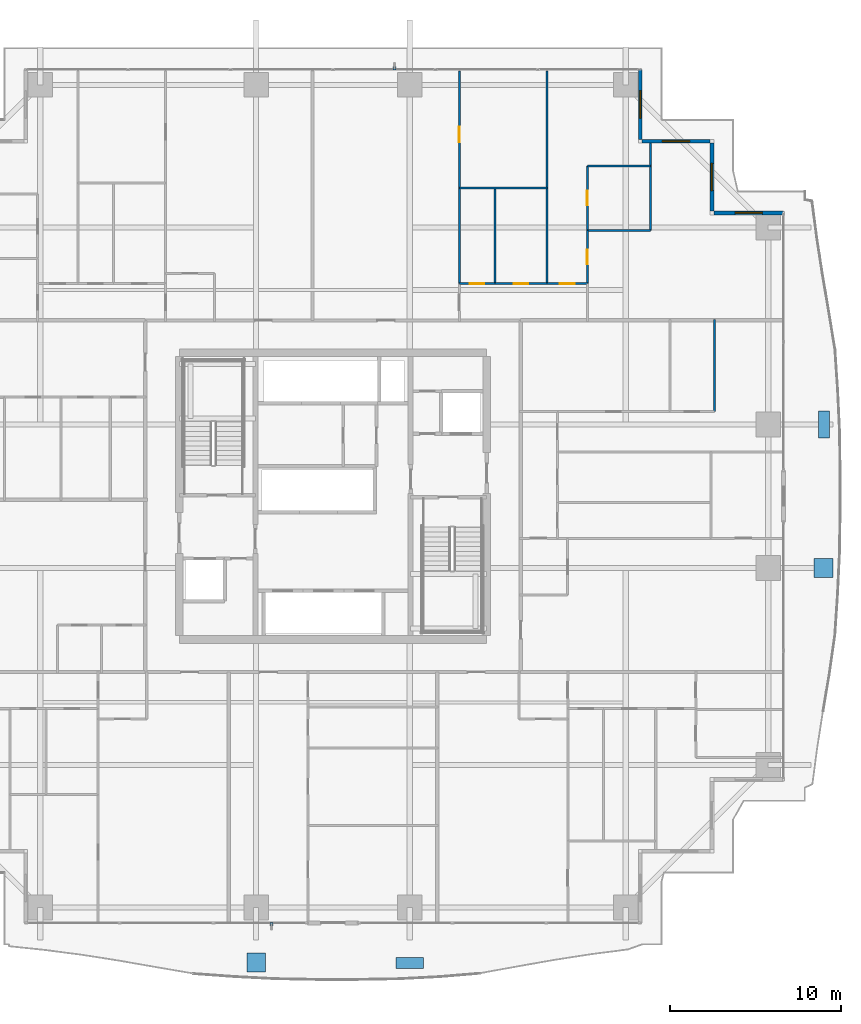
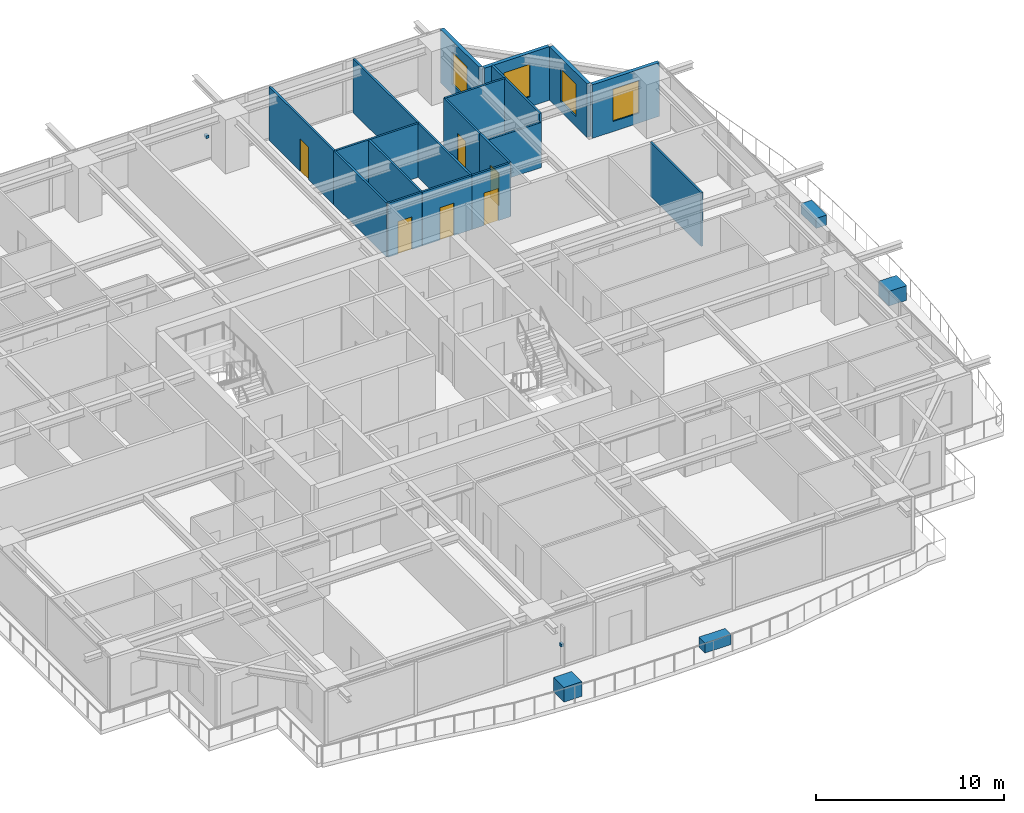
# One storey, part 32 of 39: 18 walls, 6 discrete accessories, 6 doors, 4 windows, 10 openings.
"""IFC4 building model written with IfcOpenShell, lengths in metres."""

from ifc_helpers import new_model, si_unit, direction, frame, frame_2d, origin, origin_2d, place, context, subcontext, project, spatial, rectangle, extrude, source, transform, mapped, material, layer, layer_set, type_object, element, fill, save


model = new_model("IFC4")

# Units and contexts
model_context = context("Model", 3, precision=1e-05, world=origin(), true_north=direction((0.0, 1.0)))
body_context = subcontext(model_context, "Body", "Model", "MODEL_VIEW")
ifc_project = project(units=[si_unit("LENGTHUNIT", "METRE"), si_unit("AREAUNIT", "SQUARE_METRE"), si_unit("VOLUMEUNIT", "CUBIC_METRE"), si_unit("PLANEANGLEUNIT", "RADIAN"), si_unit("MASSUNIT", "GRAM", prefix="KILO")], contexts=[model_context])

# Site, building, storey
site_placement = place(None, origin())
site = spatial("IfcSite", under=ifc_project, at=site_placement, CompositionType="ELEMENT")
building_placement = place(site_placement, origin())
building = spatial("IfcBuilding", under=site, at=building_placement, Name="Serunith Strait Residences", CompositionType="ELEMENT")
storey_placement = place(building_placement, frame((0.0, 0.0, 64.199951171875)))
storey = spatial("IfcBuildingStorey", under=building, at=storey_placement, Name="L15", CompositionType="ELEMENT", Elevation=64.199951171875)

# Wall, opening, window
ifc_material_1 = material(Name="Pale-Champagne Aluminium Insulated Panel", Category="aluminium")
ifc_layer_1 = layer(ifc_material_1, 0.219970703125, Name="Pale-Champagne Aluminium Insulated Panel")
ifc_layer_set_1 = layer_set([ifc_layer_1], Name="Pale-Champagne Aluminium Insulated Panel")
wall_type_1 = type_object("IfcWallType", Name="EW-ALUM-220", PredefinedType="ELEMENTEDWALL", material=ifc_layer_set_1)
wall_1_placement = place(storey_placement, frame((58.800048828125, 41.800048828125, 0.0), z_axis=(0.0, 0.0, 1.0), x_axis=(-1.0, 0.0, 0.0)))
wall_1 = element("IfcWall", 1, at=wall_1_placement, inside=storey, type_object=wall_type_1, Name="L15 Girih Serrated Corner Wall 07", PredefinedType="ELEMENTEDWALL", context=body_context, shape_type="SweptSolid", body=[
    extrude(rectangle(XDim=4.090087890625, YDim=0.219970703125, at=frame_2d((2.044921875, 0.0))), origin(), (0.0, 0.0, 1.0), 3.47509765625),
])
opening_1_placement = place(wall_1_placement, frame((1.2451171875, 0.0, 0.64990234375)))
opening_1 = element("IfcOpeningElement", 2, at=opening_1_placement, cuts=wall_1, Name="Opening W-02", PredefinedType="OPENING", context=body_context, shape_type="SweptSolid", body=[
    extrude(rectangle(XDim=1.60009765625, YDim=2.10009765625, at=frame_2d((0.800048828125, 1.050048828125))), frame((0.0, 0.1201171875, 0.0), z_axis=(0.0, -1.0, 0.0), x_axis=(1.0, 0.0, 0.0)), (0.0, 0.0, 1.0), 0.239990234375),
])
ifc_material_2 = material(Name="Ceramic-Fritted Operable Aluminium Window Glass", Category="aluminium")
window_type = type_object("IfcWindowType", Name="WIN-C2", PartitioningType="DOUBLE_PANEL_VERTICAL", PredefinedType="WINDOW", material=ifc_material_2)
shared_shape_1 = source(origin(), body_context, "Body", "SweptSolid", [
    extrude(rectangle(XDim=1.60009765625, YDim=2.10009765625, at=frame_2d((0.800048828125, 1.050048828125))), frame((0.0, 0.030029296875, 0.0), z_axis=(0.0, -1.0, 0.0), x_axis=(1.0, 0.0, 0.0)), (0.0, 0.0, 1.0), 0.06005859375),
])
window_1_placement = place(opening_1_placement, origin())
window_1 = element("IfcWindow", 3, at=window_1_placement, inside=storey, type_object=window_type, Name="L15 Corner Operable Fritted Window 07", OverallHeight=2.10009765625, OverallWidth=1.60009765625, PartitioningType="SINGLE_PANEL", PredefinedType="WINDOW", context=body_context, shape_type="MappedRepresentation", body=[
    mapped(shared_shape_1, transform((0.0, 0.0, 0.0), scale=1.0)),
])
fill(opening_1, window_1)

wall_2_placement = place(storey_placement, frame((54.60009765625, 41.909912109375, 0.0), z_axis=(0.0, 0.0, 1.0), x_axis=(0.0, 1.0, 0.0)))
wall_2 = element("IfcWall", 4, at=wall_2_placement, inside=storey, type_object=wall_type_1, Name="L15 Girih Serrated Corner Wall 08", PredefinedType="ELEMENTEDWALL", context=body_context, shape_type="SweptSolid", body=[
    extrude(rectangle(XDim=3.97998046875, YDim=0.219970703125, at=frame_2d((1.989990234375, 0.0))), origin(), (0.0, 0.0, 1.0), 3.47509765625),
])
opening_2_placement = place(wall_2_placement, frame((1.18994140625, 0.0, 0.64990234375)))
opening_2 = element("IfcOpeningElement", 5, at=opening_2_placement, cuts=wall_2, Name="Opening W-02", PredefinedType="OPENING", context=body_context, shape_type="SweptSolid", body=[
    extrude(rectangle(XDim=1.60009765625, YDim=2.10009765625, at=frame_2d((0.800048828125, 1.050048828125))), frame((0.0, 0.1201171875, 0.0), z_axis=(0.0, -1.0, 0.0), x_axis=(1.0, 0.0, 0.0)), (0.0, 0.0, 1.0), 0.239990234375),
])
window_2_placement = place(opening_2_placement, origin())
window_2 = element("IfcWindow", 6, at=window_2_placement, inside=storey, type_object=window_type, Name="L15 Corner Operable Fritted Window 08", OverallHeight=2.10009765625, OverallWidth=1.60009765625, PartitioningType="SINGLE_PANEL", PredefinedType="WINDOW", context=body_context, shape_type="MappedRepresentation", body=[
    mapped(shared_shape_1, transform((0.0, 0.0, 0.0), scale=1.0)),
])
fill(opening_2, window_2)

wall_3_placement = place(storey_placement, frame((54.489990234375, 46.0, 0.0), z_axis=(0.0, 0.0, 1.0), x_axis=(-1.0, 0.0, 0.0)))
wall_3 = element("IfcWall", 7, at=wall_3_placement, inside=storey, type_object=wall_type_1, Name="L15 Girih Serrated Corner Wall 09", PredefinedType="ELEMENTEDWALL", context=body_context, shape_type="SweptSolid", body=[
    extrude(rectangle(XDim=3.97998046875, YDim=0.219970703125, at=frame_2d((1.989990234375, 0.0))), origin(), (0.0, 0.0, 1.0), 3.47509765625),
])
opening_3_placement = place(wall_3_placement, frame((1.18994140625, 0.0, 0.64990234375)))
opening_3 = element("IfcOpeningElement", 8, at=opening_3_placement, cuts=wall_3, Name="Opening W-02", PredefinedType="OPENING", context=body_context, shape_type="SweptSolid", body=[
    extrude(rectangle(XDim=1.60009765625, YDim=2.10009765625, at=frame_2d((0.800048828125, 1.050048828125))), frame((0.0, 0.1201171875, 0.0), z_axis=(0.0, -1.0, 0.0), x_axis=(1.0, 0.0, 0.0)), (0.0, 0.0, 1.0), 0.239990234375),
])
window_3_placement = place(opening_3_placement, origin())
window_3 = element("IfcWindow", 9, at=window_3_placement, inside=storey, type_object=window_type, Name="L15 Corner Operable Fritted Window 09", OverallHeight=2.10009765625, OverallWidth=1.60009765625, PartitioningType="SINGLE_PANEL", PredefinedType="WINDOW", context=body_context, shape_type="MappedRepresentation", body=[
    mapped(shared_shape_1, transform((0.0, 0.0, 0.0), scale=1.0)),
])
fill(opening_3, window_3)

wall_4_placement = place(storey_placement, frame((50.39990234375, 46.110107421875, 0.0), z_axis=(0.0, 0.0, 1.0), x_axis=(0.0, 1.0, 0.0)))
wall_4 = element("IfcWall", 10, at=wall_4_placement, inside=storey, type_object=wall_type_1, Name="L15 Girih Serrated Corner Wall 10", PredefinedType="ELEMENTEDWALL", context=body_context, shape_type="SweptSolid", body=[
    extrude(rectangle(XDim=4.08984375, YDim=0.219970703125, at=frame_2d((2.044921875, 0.0))), origin(), (0.0, 0.0, 1.0), 3.47509765625),
])
opening_4_placement = place(wall_4_placement, frame((1.2451171875, 0.0, 0.64990234375)))
opening_4 = element("IfcOpeningElement", 11, at=opening_4_placement, cuts=wall_4, Name="Opening W-02", PredefinedType="OPENING", context=body_context, shape_type="SweptSolid", body=[
    extrude(rectangle(XDim=1.60009765625, YDim=2.10009765625, at=frame_2d((0.800048828125, 1.050048828125))), frame((0.0, 0.1201171875, 0.0), z_axis=(0.0, -1.0, 0.0), x_axis=(1.0, 0.0, 0.0)), (0.0, 0.0, 1.0), 0.239990234375),
])
window_4_placement = place(opening_4_placement, origin())
window_4 = element("IfcWindow", 12, at=window_4_placement, inside=storey, type_object=window_type, Name="L15 Corner Operable Fritted Window 10", OverallHeight=2.10009765625, OverallWidth=1.60009765625, PartitioningType="SINGLE_PANEL", PredefinedType="WINDOW", context=body_context, shape_type="MappedRepresentation", body=[
    mapped(shared_shape_1, transform((0.0, 0.0, 0.0), scale=1.0)),
])
fill(opening_4, window_4)

# Wall, opening, door
ifc_material_3 = material(Name="Lightweight steel-stud gypsum partition", Category="steel")
ifc_layer_2 = layer(ifc_material_3, 0.1201171875, Name="Lightweight steel-stud gypsum partition")
ifc_layer_set_2 = layer_set([ifc_layer_2], Name="Lightweight steel-stud gypsum partition")
wall_type_2 = type_object("IfcWallType", Name="IW-PART-120", PredefinedType="PARTITIONING", material=ifc_layer_set_2)
wall_5_placement = place(storey_placement, frame((39.800048828125, 50.10498046875, 0.0), z_axis=(0.0, 0.0, 1.0), x_axis=(0.0, -1.0, 0.0)))
wall_5 = element("IfcWall", 13, at=wall_5_placement, inside=storey, type_object=wall_type_2, Name="L15 Partition Wall 082", PredefinedType="PARTITIONING", context=body_context, shape_type="SweptSolid", body=[
    extrude(rectangle(XDim=6.85107421875, YDim=0.1201171875, at=frame_2d((3.425537109375, 0.0))), origin(), (0.0, 0.0, 1.0), 3.489990234375),
])
opening_5_placement = place(wall_5_placement, frame((3.27294921875, 0.0, 0.0)))
opening_5 = element("IfcOpeningElement", 14, at=opening_5_placement, cuts=wall_5, Name="Opening D-RM900", PredefinedType="OPENING", context=body_context, shape_type="SweptSolid", body=[
    extrude(rectangle(XDim=0.89990234375, YDim=2.10009765625, at=frame_2d((0.449951171875, 1.050048828125))), frame((0.0, 0.070068359375, 0.0), z_axis=(0.0, -1.0, 0.0), x_axis=(1.0, 0.0, 0.0)), (0.0, 0.0, 1.0), 0.14013671875),
])
ifc_material_4 = material(Name="Engineered timber flush bedroom door", Category="wood")
door_type_1 = type_object("IfcDoorType", Name="ID-ROOM-900", OperationType="NOTDEFINED", PredefinedType="DOOR", material=ifc_material_4)
shared_shape_2 = source(origin(), body_context, "Body", "SweptSolid", [
    extrude(rectangle(XDim=0.89990234375, YDim=2.10009765625, at=frame_2d((0.449951171875, 1.050048828125))), frame((0.0, 0.02490234375, 0.0), z_axis=(0.0, -1.0, 0.0), x_axis=(1.0, 0.0, 0.0)), (0.0, 0.0, 1.0), 0.050048828125),
])
door_1_placement = place(opening_5_placement, origin())
door_1 = element("IfcDoor", 15, at=door_1_placement, inside=storey, type_object=door_type_1, Name="L15 Formal Dining Room 1 1505 Door", OperationType="SINGLE_SWING_RIGHT", OverallHeight=2.10009765625, OverallWidth=0.89990234375, PredefinedType="DOOR", context=body_context, shape_type="MappedRepresentation", body=[
    mapped(shared_shape_2, transform((0.0, 0.0, 0.0), scale=1.0)),
])
fill(opening_5, door_1)

# Walls
wall_6_placement = place(storey_placement, frame((39.800048828125, 43.251953125, 0.0), z_axis=(0.0, 0.0, 1.0), x_axis=(0.0, -1.0, 0.0)))
element("IfcWall", 16, at=wall_6_placement, inside=storey, type_object=wall_type_2, Name="L15 Partition Wall 083", PredefinedType="PARTITIONING", context=body_context, shape_type="SweptSolid", body=[
    extrude(rectangle(XDim=5.599853515625, YDim=0.1201171875, at=frame_2d((2.7998046875, 0.0))), origin(), (0.0, 0.0, 1.0), 3.489990234375),
])
wall_7_placement = place(storey_placement, frame((39.800048828125, 43.25390625, 0.0), z_axis=(0.0, 0.0, 1.0), x_axis=(1.0, 0.0, 0.0)))
element("IfcWall", 17, at=wall_7_placement, inside=storey, type_object=wall_type_2, Name="L15 Partition Wall 084", PredefinedType="PARTITIONING", context=body_context, shape_type="SweptSolid", body=[
    extrude(rectangle(XDim=5.14990234375, YDim=0.1201171875, at=frame_2d((2.574951171875, 0.0))), origin(), (0.0, 0.0, 1.0), 3.489990234375),
])
wall_8_placement = place(storey_placement, frame((44.949951171875, 50.10498046875, 0.0), z_axis=(0.0, 0.0, 1.0), x_axis=(0.0, -1.0, 0.0)))
element("IfcWall", 18, at=wall_8_placement, inside=storey, type_object=wall_type_2, Name="L15 Partition Wall 085", PredefinedType="PARTITIONING", context=body_context, shape_type="SweptSolid", body=[
    extrude(rectangle(XDim=12.455078125, YDim=0.1201171875, at=frame_2d((6.2275390625, 0.0))), origin(), (0.0, 0.0, 1.0), 3.489990234375),
])
wall_9_placement = place(storey_placement, frame((41.89990234375, 43.25390625, 0.0), z_axis=(0.0, 0.0, 1.0), x_axis=(0.0, -1.0, 0.0)))
element("IfcWall", 19, at=wall_9_placement, inside=storey, type_object=wall_type_2, Name="L15 Partition Wall 086", PredefinedType="PARTITIONING", context=body_context, shape_type="SweptSolid", body=[
    extrude(rectangle(XDim=5.60400390625, YDim=0.1201171875, at=frame_2d((2.802001953125, 0.0))), origin(), (0.0, 0.0, 1.0), 3.489990234375),
])

# Wall, opening, door
wall_10_placement = place(storey_placement, frame((39.800048828125, 37.64990234375, 0.0), z_axis=(0.0, 0.0, 1.0), x_axis=(1.0, 0.0, 0.0)))
wall_10 = element("IfcWall", 20, at=wall_10_placement, inside=storey, type_object=wall_type_2, Name="L15 Partition Wall 087", PredefinedType="PARTITIONING", context=body_context, shape_type="SweptSolid", body=[
    extrude(rectangle(XDim=2.099853515625, YDim=0.1201171875, at=frame_2d((1.0498046875, 0.0))), origin(), (0.0, 0.0, 1.0), 3.489990234375),
])
opening_6_placement = place(wall_10_placement, frame((0.625, 0.0, 0.0)))
opening_6 = element("IfcOpeningElement", 21, at=opening_6_placement, cuts=wall_10, Name="Opening D-BTH850", PredefinedType="OPENING", context=body_context, shape_type="SweptSolid", body=[
    extrude(rectangle(XDim=0.85009765625, YDim=2.10009765625, at=frame_2d((0.425048828125, 1.050048828125))), frame((0.0, 0.070068359375, 0.0), z_axis=(0.0, -1.0, 0.0), x_axis=(1.0, 0.0, 0.0)), (0.0, 0.0, 1.0), 0.14013671875),
])
ifc_material_5 = material(Name="Moisture-resistant timber bathroom door", Category="wood")
door_type_2 = type_object("IfcDoorType", Name="ID-BATH-850", OperationType="NOTDEFINED", PredefinedType="DOOR", material=ifc_material_5)
shared_shape_3 = source(origin(), body_context, "Body", "SweptSolid", [
    extrude(rectangle(XDim=0.85009765625, YDim=2.10009765625, at=frame_2d((0.425048828125, 1.050048828125))), frame((0.0, 0.02490234375, 0.0), z_axis=(0.0, -1.0, 0.0), x_axis=(1.0, 0.0, 0.0)), (0.0, 0.0, 1.0), 0.050048828125),
])
door_2_placement = place(opening_6_placement, origin())
door_2 = element("IfcDoor", 22, at=door_2_placement, inside=storey, type_object=door_type_2, Name="L15 Bathroom 1505 Door", OperationType="SINGLE_SWING_LEFT", OverallHeight=2.10009765625, OverallWidth=0.85009765625, PredefinedType="DOOR", context=body_context, shape_type="MappedRepresentation", body=[
    mapped(shared_shape_3, transform((0.0, 0.0, 0.0), scale=1.0)),
])
fill(opening_6, door_2)

wall_11_placement = place(storey_placement, frame((41.902099609375, 37.64990234375, 0.0), z_axis=(0.0, 0.0, 1.0), x_axis=(1.0, 0.0, 0.0)))
wall_11 = element("IfcWall", 23, at=wall_11_placement, inside=storey, type_object=wall_type_2, Name="L15 Partition Wall 088", PredefinedType="PARTITIONING", context=body_context, shape_type="SweptSolid", body=[
    extrude(rectangle(XDim=3.0478515625, YDim=0.1201171875, at=frame_2d((1.52392578125, 0.0))), origin(), (0.0, 0.0, 1.0), 3.489990234375),
])
opening_7_placement = place(wall_11_placement, frame((1.09912109375, 0.0, 0.0)))
opening_7 = element("IfcOpeningElement", 24, at=opening_7_placement, cuts=wall_11, Name="Opening D-RM850", PredefinedType="OPENING", context=body_context, shape_type="SweptSolid", body=[
    extrude(rectangle(XDim=0.85009765625, YDim=2.10009765625, at=frame_2d((0.425048828125, 1.050048828125))), frame((0.0, 0.070068359375, 0.0), z_axis=(0.0, -1.0, 0.0), x_axis=(1.0, 0.0, 0.0)), (0.0, 0.0, 1.0), 0.14013671875),
])
ifc_material_6 = material(Name="Engineered timber flush study and kitchen door", Category="wood")
door_type_3 = type_object("IfcDoorType", Name="ID-ROOM-850", OperationType="NOTDEFINED", PredefinedType="DOOR", material=ifc_material_6)
door_3_placement = place(opening_7_placement, origin())
door_3 = element("IfcDoor", 25, at=door_3_placement, inside=storey, type_object=door_type_3, Name="L15 Kitchen 1505 Door", OperationType="SINGLE_SWING_RIGHT", OverallHeight=2.10009765625, OverallWidth=0.85009765625, PredefinedType="DOOR", context=body_context, shape_type="MappedRepresentation", body=[
    mapped(shared_shape_3, transform((0.0, 0.0, 0.0), scale=1.0)),
])
fill(opening_7, door_3)

wall_12_placement = place(storey_placement, frame((44.951904296875, 37.64990234375, 0.0), z_axis=(0.0, 0.0, 1.0), x_axis=(1.0, 0.0, 0.0)))
wall_12 = element("IfcWall", 26, at=wall_12_placement, inside=storey, type_object=wall_type_2, Name="L15 Partition Wall 089", PredefinedType="PARTITIONING", context=body_context, shape_type="SweptSolid", body=[
    extrude(rectangle(XDim=2.34814453125, YDim=0.1201171875, at=frame_2d((1.174072265625, 0.0))), origin(), (0.0, 0.0, 1.0), 3.489990234375),
])
opening_8_placement = place(wall_12_placement, frame((0.72412109375, 0.0, 0.0)))
opening_8 = element("IfcOpeningElement", 27, at=opening_8_placement, cuts=wall_12, Name="Opening D-RM900", PredefinedType="OPENING", context=body_context, shape_type="SweptSolid", body=[
    extrude(rectangle(XDim=0.89990234375, YDim=2.10009765625, at=frame_2d((0.449951171875, 1.050048828125))), frame((0.0, 0.070068359375, 0.0), z_axis=(0.0, -1.0, 0.0), x_axis=(1.0, 0.0, 0.0)), (0.0, 0.0, 1.0), 0.14013671875),
])
door_4_placement = place(opening_8_placement, origin())
door_4 = element("IfcDoor", 28, at=door_4_placement, inside=storey, type_object=door_type_1, Name="L15 Master Bedroom E 1505 Door", OperationType="SINGLE_SWING_LEFT", OverallHeight=2.10009765625, OverallWidth=0.89990234375, PredefinedType="DOOR", context=body_context, shape_type="MappedRepresentation", body=[
    mapped(shared_shape_2, transform((0.0, 0.0, 0.0), scale=1.0)),
])
fill(opening_8, door_4)

# Walls
wall_13_placement = place(storey_placement, frame((47.300048828125, 44.55908203125, 0.0), z_axis=(0.0, 0.0, 1.0), x_axis=(1.0, 0.0, 0.0)))
element("IfcWall", 29, at=wall_13_placement, inside=storey, type_object=wall_type_2, Name="L15 Partition Wall 090", PredefinedType="PARTITIONING", context=body_context, shape_type="SweptSolid", body=[
    extrude(rectangle(XDim=3.699951171875, YDim=0.1201171875, at=frame_2d((1.85009765625, 0.0))), origin(), (0.0, 0.0, 1.0), 3.489990234375),
])
wall_14_placement = place(storey_placement, frame((51.0, 45.905029296875, 0.0), z_axis=(0.0, 0.0, 1.0), x_axis=(0.0, -1.0, 0.0)))
element("IfcWall", 30, at=wall_14_placement, inside=storey, type_object=wall_type_2, Name="L15 Partition Wall 091", PredefinedType="PARTITIONING", context=body_context, shape_type="SweptSolid", body=[
    extrude(rectangle(XDim=5.130126953125, YDim=0.1201171875, at=frame_2d((2.56494140625, 0.0))), origin(), (0.0, 0.0, 1.0), 3.489990234375),
])
wall_15_placement = place(storey_placement, frame((47.300048828125, 40.77490234375, 0.0), z_axis=(0.0, 0.0, 1.0), x_axis=(1.0, 0.0, 0.0)))
element("IfcWall", 31, at=wall_15_placement, inside=storey, type_object=wall_type_2, Name="L15 Partition Wall 092", PredefinedType="PARTITIONING", context=body_context, shape_type="SweptSolid", body=[
    extrude(rectangle(XDim=3.699951171875, YDim=0.1201171875, at=frame_2d((1.85009765625, 0.0))), origin(), (0.0, 0.0, 1.0), 2.922119140625),
])

# Wall, opening, door
wall_16_placement = place(storey_placement, frame((47.300048828125, 44.55908203125, 0.0), z_axis=(0.0, 0.0, 1.0), x_axis=(0.0, -1.0, 0.0)))
wall_16 = element("IfcWall", 32, at=wall_16_placement, inside=storey, type_object=wall_type_2, Name="L15 Partition Wall 093", PredefinedType="PARTITIONING", context=body_context, shape_type="SweptSolid", body=[
    extrude(rectangle(XDim=3.7841796875, YDim=0.1201171875, at=frame_2d((1.89208984375, 0.0))), origin(), (0.0, 0.0, 1.0), 3.489990234375),
])
opening_9_placement = place(wall_16_placement, frame((1.467041015625, 0.0, 0.0)))
opening_9 = element("IfcOpeningElement", 33, at=opening_9_placement, cuts=wall_16, Name="Opening D-BTH850", PredefinedType="OPENING", context=body_context, shape_type="SweptSolid", body=[
    extrude(rectangle(XDim=0.85009765625, YDim=2.10009765625, at=frame_2d((0.425048828125, 1.050048828125))), frame((0.0, 0.070068359375, 0.0), z_axis=(0.0, -1.0, 0.0), x_axis=(1.0, 0.0, 0.0)), (0.0, 0.0, 1.0), 0.14013671875),
])
door_5_placement = place(opening_9_placement, origin())
door_5 = element("IfcDoor", 34, at=door_5_placement, inside=storey, type_object=door_type_2, Name="L15 En-suite Bathroom E 1505 Door", OperationType="SINGLE_SWING_RIGHT", OverallHeight=2.10009765625, OverallWidth=0.85009765625, PredefinedType="DOOR", context=body_context, shape_type="MappedRepresentation", body=[
    mapped(shared_shape_3, transform((0.0, 0.0, 0.0), scale=1.0)),
])
fill(opening_9, door_5)

wall_17_placement = place(storey_placement, frame((47.300048828125, 40.77294921875, 0.0), z_axis=(0.0, 0.0, 1.0), x_axis=(0.0, -1.0, 0.0)))
wall_17 = element("IfcWall", 35, at=wall_17_placement, inside=storey, type_object=wall_type_2, Name="L15 Partition Wall 094", PredefinedType="PARTITIONING", context=body_context, shape_type="SweptSolid", body=[
    extrude(rectangle(XDim=3.123046875, YDim=0.1201171875, at=frame_2d((1.5615234375, 0.0))), origin(), (0.0, 0.0, 1.0), 3.489990234375),
])
opening_10_placement = place(wall_17_placement, frame((1.136962890625, 0.0, 0.0)))
opening_10 = element("IfcOpeningElement", 36, at=opening_10_placement, cuts=wall_17, Name="Opening D-RM850", PredefinedType="OPENING", context=body_context, shape_type="SweptSolid", body=[
    extrude(rectangle(XDim=0.85009765625, YDim=2.10009765625, at=frame_2d((0.425048828125, 1.050048828125))), frame((0.0, 0.070068359375, 0.0), z_axis=(0.0, -1.0, 0.0), x_axis=(1.0, 0.0, 0.0)), (0.0, 0.0, 1.0), 0.14013671875),
])
door_6_placement = place(opening_10_placement, origin())
door_6 = element("IfcDoor", 37, at=door_6_placement, inside=storey, type_object=door_type_3, Name="L15 Wardrobe E 1505 Door", OperationType="SINGLE_SWING_LEFT", OverallHeight=2.10009765625, OverallWidth=0.85009765625, PredefinedType="DOOR", context=body_context, shape_type="MappedRepresentation", body=[
    mapped(shared_shape_3, transform((0.0, 0.0, 0.0), scale=1.0)),
])
fill(opening_10, door_6)

# Wall
wall_18_placement = place(storey_placement, frame((54.75, 30.14990234375, 0.0), z_axis=(0.0, 0.0, 1.0), x_axis=(0.0, 1.0, 0.0)))
element("IfcWall", 38, at=wall_18_placement, inside=storey, type_object=wall_type_2, Name="L15 Partition Wall 118", PredefinedType="PARTITIONING", context=body_context, shape_type="SweptSolid", body=[
    extrude(rectangle(XDim=5.41015625, YDim=0.1201171875, at=frame_2d((2.705078125, 0.0))), origin(), (0.0, 0.0, 1.0), 3.489990234375),
])

# Discrete accessories
ifc_material_7 = material(Name="GFRC Root-Anchored Structural Planter")
discrete_accessory_type_1 = type_object("IfcDiscreteAccessoryType", Name="ACC-PLANTER-TREE", PredefinedType="USERDEFINED", material=ifc_material_7)
shared_shape_4 = source(origin(), body_context, "Body", "SweptSolid", [
    extrude(rectangle(XDim=1.10009765625, YDim=1.10009765625, at=origin_2d()), origin(), (0.0, 0.0, 1.0), 0.949951171875),
])
for number, where, z_axis, x_axis, name in (
    (39, (27.89990234375, -2.117431640625, -0.0498046875), (0.0, 0.0, 1.0), (1.0, 0.0, 0.0), "L15 Vertical-Forest Tree Planter 02"),
    (40, (61.14306640625, 21.0, -0.0498046875), (0.0, 0.0, 1.0), (0.0, 1.0, 0.0), "L15 Vertical-Forest Tree Planter 10"),
):
    element("IfcDiscreteAccessory", number, at=place(storey_placement, frame(where, z_axis=z_axis, x_axis=x_axis)), inside=storey, type_object=discrete_accessory_type_1, Name=name, ObjectType="PLANTER", PredefinedType="USERDEFINED", context=body_context, shape_type="MappedRepresentation", body=[
        mapped(shared_shape_4, transform((0.0, 0.0, 0.0), scale=1.0)),
    ])
ifc_material_8 = material(Name="GFRC Irrigated Shrub Trough Planter")
discrete_accessory_type_2 = type_object("IfcDiscreteAccessoryType", Name="ACC-PLANTER-SHRUB", PredefinedType="USERDEFINED", material=ifc_material_8)
shared_shape_5 = source(origin(), body_context, "Body", "SweptSolid", [
    extrude(rectangle(XDim=1.60009765625, YDim=0.64990234375, at=origin_2d()), origin(), (0.0, 0.0, 1.0), 0.64990234375),
])
for number, where, z_axis, x_axis, name in (
    (41, (36.89990234375, -2.146484375, -0.0498046875), (0.0, 0.0, 1.0), (1.0, 0.0, 0.0), "L15 Vertical-Forest Shrub Planter 03"),
    (42, (61.1708984375, 29.39990234375, -0.0498046875), (0.0, 0.0, 1.0), (0.0, 1.0, 0.0), "L15 Vertical-Forest Shrub Planter 11"),
):
    element("IfcDiscreteAccessory", number, at=place(storey_placement, frame(where, z_axis=z_axis, x_axis=x_axis)), inside=storey, type_object=discrete_accessory_type_2, Name=name, ObjectType="PLANTER", PredefinedType="USERDEFINED", context=body_context, shape_type="MappedRepresentation", body=[
        mapped(shared_shape_5, transform((0.0, 0.0, 0.0), scale=1.0)),
    ])
ifc_material_9 = material(Name="Stainless Steel Facade Cleat Bracket", Category="steel")
discrete_accessory_type_3 = type_object("IfcDiscreteAccessoryType", Name="ACC-FIN-BRACKET", PredefinedType="USERDEFINED", material=ifc_material_9)
shared_shape_6 = source(origin(), body_context, "Body", "SweptSolid", [
    extrude(rectangle(XDim=0.179931640625, YDim=0.219970703125, at=origin_2d()), origin(), (0.0, 0.0, 1.0), 0.179931640625),
])
for number, where, z_axis, x_axis, name in (
    (43, (28.800048828125, 0.1201171875, 1.41015625), (0.0, 0.0, 1.0), (1.0, 0.0, 0.0), "L15 Solar Fin Cleat Bracket S"),
    (44, (36.0, 50.280029296875, 1.41015625), (0.0, 0.0, 1.0), (1.0, 0.0, 0.0), "L15 Solar Fin Cleat Bracket N"),
):
    element("IfcDiscreteAccessory", number, at=place(storey_placement, frame(where, z_axis=z_axis, x_axis=x_axis)), inside=storey, type_object=discrete_accessory_type_3, Name=name, ObjectType="BRACKET", PredefinedType="USERDEFINED", context=body_context, shape_type="MappedRepresentation", body=[
        mapped(shared_shape_6, transform((0.0, 0.0, 0.0), scale=1.0)),
    ])

save(model, "model.ifc")
